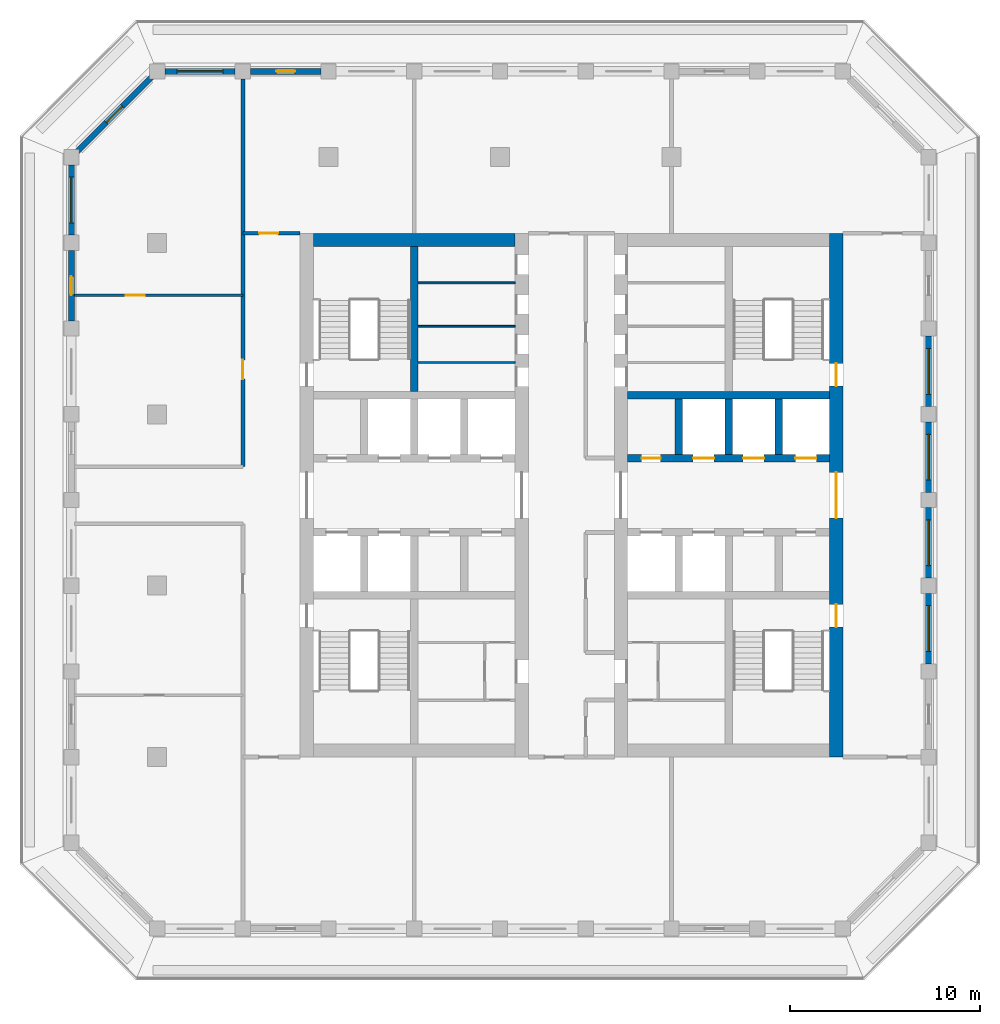
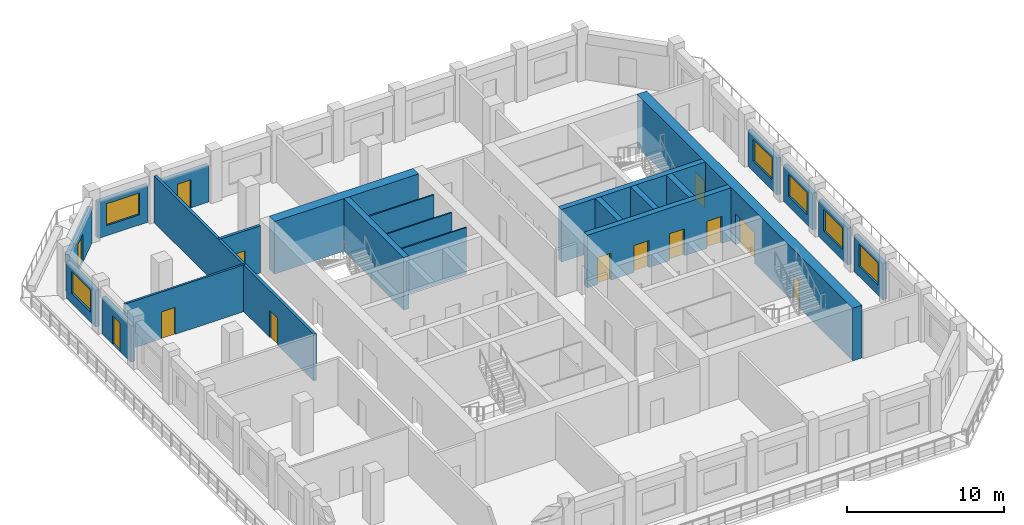
# One storey, part 5 of 14: 23 walls, 13 doors, 6 windows, 19 openings.
"""IFC4 building model written with IfcOpenShell, lengths in metres."""

from ifc_helpers import new_model, si_unit, direction, frame, frame_2d, origin, place, context, subcontext, project, spatial, rectangle, extrude, material, layer, layer_set, type_object, element, fill, save


model = new_model("IFC4")

# Units and contexts
model_context = context("Model", 3, precision=1e-05, world=origin(), true_north=direction((0.0, 1.0)))
body_context = subcontext(model_context, "Body", "Model", "MODEL_VIEW")
ifc_project = project(units=[si_unit("LENGTHUNIT", "METRE"), si_unit("AREAUNIT", "SQUARE_METRE"), si_unit("VOLUMEUNIT", "CUBIC_METRE"), si_unit("PLANEANGLEUNIT", "RADIAN"), si_unit("MASSUNIT", "GRAM", prefix="KILO")], contexts=[model_context])

# Site, building, storey
site_placement = place(None, origin())
site = spatial("IfcSite", under=ifc_project, at=site_placement, CompositionType="ELEMENT")
building_placement = place(site_placement, origin())
building = spatial("IfcBuilding", under=site, at=building_placement, Name="Corbel Stack Research Tower", CompositionType="ELEMENT")
storey_placement = place(building_placement, frame((0.0, 0.0, 270.39990234375)))
storey = spatial("IfcBuildingStorey", under=building, at=storey_placement, Name="L61", CompositionType="ELEMENT", Elevation=270.39990234375)

# Wall
ifc_material_1 = material(Name="Concrete C60/75", Category="concrete")
ifc_layer_1 = layer(ifc_material_1, 0.39990234375)
ifc_layer_set_1 = layer_set([ifc_layer_1], Name="Concrete C60/75")
wall_type_1 = type_object("IfcWallType", Name="CW-400-60", PredefinedType="SHEAR", material=ifc_layer_set_1)
wall_1_placement = place(storey_placement, frame((-4.5, 10.199951171875, 0.0), z_axis=(0.0, 0.0, 1.0), x_axis=(0.0, 1.0, 0.0)))
element("IfcWall", 1, at=wall_1_placement, inside=storey, type_object=wall_type_1, Name="West core wall, north stair and riser L61", PredefinedType="SHEAR", context=body_context, shape_type="SweptSolid", body=[
    extrude(rectangle(XDim=7.60009765625, YDim=0.39990234375, at=frame_2d((3.800048828125, 0.0))), origin(), (0.0, 0.0, 1.0), 4.10009765625),
])

# Wall, openings, doors
wall_2_placement = place(storey_placement, frame((6.699951171875, 6.699951171875, 0.0), z_axis=(0.0, 0.0, 1.0), x_axis=(1.0, 0.0, 0.0)))
wall_2 = element("IfcWall", 2, at=wall_2_placement, inside=storey, type_object=wall_type_1, Name="East core wall, lobby north L61", PredefinedType="SHEAR", context=body_context, shape_type="SweptSolid", body=[
    extrude(rectangle(XDim=10.60009765625, YDim=0.39990234375, at=frame_2d((5.300048828125, 0.0))), origin(), (0.0, 0.0, 1.0), 4.10009765625),
])
opening_1_placement = place(wall_2_placement, frame((3.4375, 0.0, 0.0)))
opening_1 = element("IfcOpeningElement", 3, at=opening_1_placement, cuts=wall_2, Name="Opening LD-HR4", PredefinedType="OPENING", context=body_context, shape_type="SweptSolid", body=[
    extrude(rectangle(XDim=1.10009765625, YDim=2.10009765625, at=frame_2d((0.550048828125, 1.050048828125))), frame((0.0, 0.2099609375, 0.0), z_axis=(0.0, -1.0, 0.0), x_axis=(1.0, 0.0, 0.0)), (0.0, 0.0, 1.0), 0.419921875),
])
opening_2_placement = place(wall_2_placement, frame((6.0625, 0.0, 0.0)))
opening_2 = element("IfcOpeningElement", 4, at=opening_2_placement, cuts=wall_2, Name="Opening LD-HR5", PredefinedType="OPENING", context=body_context, shape_type="SweptSolid", body=[
    extrude(rectangle(XDim=1.10009765625, YDim=2.10009765625, at=frame_2d((0.550048828125, 1.050048828125))), frame((0.0, 0.2099609375, 0.0), z_axis=(0.0, -1.0, 0.0), x_axis=(1.0, 0.0, 0.0)), (0.0, 0.0, 1.0), 0.419921875),
])
opening_3_placement = place(wall_2_placement, frame((8.8125, 0.0, 0.0)))
opening_3 = element("IfcOpeningElement", 5, at=opening_3_placement, cuts=wall_2, Name="Opening LD-HR6", PredefinedType="OPENING", context=body_context, shape_type="SweptSolid", body=[
    extrude(rectangle(XDim=1.10009765625, YDim=2.10009765625, at=frame_2d((0.550048828125, 1.050048828125))), frame((0.0, 0.2099609375, 0.0), z_axis=(0.0, -1.0, 0.0), x_axis=(1.0, 0.0, 0.0)), (0.0, 0.0, 1.0), 0.419921875),
])
opening_4_placement = place(wall_2_placement, frame((0.737548828125, 0.0, 0.0)))
opening_4 = element("IfcOpeningElement", 6, at=opening_4_placement, cuts=wall_2, Name="Opening CR-E36-N1", PredefinedType="OPENING", context=body_context, shape_type="SweptSolid", body=[
    extrude(rectangle(XDim=1.0, YDim=2.10009765625, at=frame_2d((0.5, 1.050048828125))), frame((0.0, 0.2099609375, 0.0), z_axis=(0.0, -1.0, 0.0), x_axis=(1.0, 0.0, 0.0)), (0.0, 0.0, 1.0), 0.419921875),
])
ifc_material_2 = material(Name="Stainless steel landing door", Category="steel")
door_type_1 = type_object("IfcDoorType", Name="Lift landing door 1100 x 2100", OperationType="DOUBLE_DOOR_SLIDING", PredefinedType="DOOR", material=ifc_material_2)
door_1_placement = place(opening_1_placement, origin())
door_1 = element("IfcDoor", 7, at=door_1_placement, inside=storey, type_object=door_type_1, Name="Landing door HR4", OperationType="DOUBLE_DOOR_SLIDING", OverallHeight=2.10009765625, OverallWidth=1.10009765625, PredefinedType="DOOR", context=body_context, shape_type="SweptSolid", body=[
    extrude(rectangle(XDim=1.10009765625, YDim=2.10009765625, at=frame_2d((0.550048828125, 1.050048828125))), frame((0.0, 0.02490234375, 0.0), z_axis=(0.0, -1.0, 0.0), x_axis=(1.0, 0.0, 0.0)), (0.0, 0.0, 1.0), 0.050048828125),
])
fill(opening_1, door_1)
door_2_placement = place(opening_2_placement, origin())
door_2 = element("IfcDoor", 8, at=door_2_placement, inside=storey, type_object=door_type_1, Name="Landing door HR5", OperationType="DOUBLE_DOOR_SLIDING", OverallHeight=2.10009765625, OverallWidth=1.10009765625, PredefinedType="DOOR", context=body_context, shape_type="SweptSolid", body=[
    extrude(rectangle(XDim=1.10009765625, YDim=2.10009765625, at=frame_2d((0.550048828125, 1.050048828125))), frame((0.0, 0.02490234375, 0.0), z_axis=(0.0, -1.0, 0.0), x_axis=(1.0, 0.0, 0.0)), (0.0, 0.0, 1.0), 0.050048828125),
])
fill(opening_2, door_2)
door_3_placement = place(opening_3_placement, origin())
door_3 = element("IfcDoor", 9, at=door_3_placement, inside=storey, type_object=door_type_1, Name="Landing door HR6", OperationType="DOUBLE_DOOR_SLIDING", OverallHeight=2.10009765625, OverallWidth=1.10009765625, PredefinedType="DOOR", context=body_context, shape_type="SweptSolid", body=[
    extrude(rectangle(XDim=1.10009765625, YDim=2.10009765625, at=frame_2d((0.550048828125, 1.050048828125))), frame((0.0, 0.02490234375, 0.0), z_axis=(0.0, -1.0, 0.0), x_axis=(1.0, 0.0, 0.0)), (0.0, 0.0, 1.0), 0.050048828125),
])
fill(opening_3, door_3)
ifc_material_3 = material(Name="Painted steel door", Category="steel")
door_type_2 = type_object("IfcDoorType", Name="Service door 1000 x 2100 FD60 left hand", OperationType="SINGLE_SWING_LEFT", PredefinedType="DOOR", material=ifc_material_3)
door_4_placement = place(opening_4_placement, origin())
door_4 = element("IfcDoor", 10, at=door_4_placement, inside=storey, type_object=door_type_2, Name="Pantry door E core", OperationType="SINGLE_SWING_LEFT", OverallHeight=2.10009765625, OverallWidth=1.0, PredefinedType="DOOR", context=body_context, shape_type="SweptSolid", body=[
    extrude(rectangle(XDim=1.0, YDim=2.10009765625, at=frame_2d((0.5, 1.050048828125))), frame((0.0, 0.02490234375, 0.0), z_axis=(0.0, -1.0, 0.0), x_axis=(1.0, 0.0, 0.0)), (0.0, 0.0, 1.0), 0.050048828125),
])
fill(opening_4, door_4)

# Walls
wall_3_placement = place(storey_placement, frame((6.699951171875, 10.0, 0.0), z_axis=(0.0, 0.0, 1.0), x_axis=(1.0, 0.0, 0.0)))
element("IfcWall", 11, at=wall_3_placement, inside=storey, type_object=wall_type_1, Name="East core wall, north row back L61", PredefinedType="SHEAR", context=body_context, shape_type="SweptSolid", body=[
    extrude(rectangle(XDim=10.60009765625, YDim=0.39990234375, at=frame_2d((5.300048828125, 0.0))), origin(), (0.0, 0.0, 1.0), 4.10009765625),
])
for number, where, z_axis, x_axis, name in (
    (12, (9.375, 6.89990234375, 0.0), (0.0, 0.0, 1.0), (0.0, 1.0, 0.0), "East core wall, north shaft 1 L61"),
    (13, (12.0, 6.89990234375, 0.0), (0.0, 0.0, 1.0), (0.0, 1.0, 0.0), "East core wall, north shaft 2 L61"),
    (14, (14.625, 6.89990234375, 0.0), (0.0, 0.0, 1.0), (0.0, 1.0, 0.0), "East core wall, north shaft 3 L61"),
):
    element("IfcWall", number, at=place(storey_placement, frame(where, z_axis=z_axis, x_axis=x_axis)), inside=storey, type_object=wall_type_1, Name=name, PredefinedType="SHEAR", context=body_context, shape_type="SweptSolid", body=[
        extrude(rectangle(XDim=2.900146484375, YDim=0.39990234375, at=frame_2d((1.4501953125, 0.0))), origin(), (0.0, 0.0, 1.0), 4.10009765625),
    ])
ifc_material_4 = material(Name="Concrete C60/75", Category="concrete")
ifc_layer_2 = layer(ifc_material_4, 0.699951171875)
ifc_layer_set_2 = layer_set([ifc_layer_2], Name="Concrete C60/75")
wall_type_2 = type_object("IfcWallType", Name="CW-700-60", PredefinedType="SHEAR", material=ifc_layer_set_2)
wall_4_placement = place(storey_placement, frame((-9.800048828125, 18.14990234375, 0.0), z_axis=(0.0, 0.0, 1.0), x_axis=(1.0, 0.0, 0.0)))
element("IfcWall", 15, at=wall_4_placement, inside=storey, type_object=wall_type_2, Name="West core wall, north end L61", PredefinedType="SHEAR", context=body_context, shape_type="SweptSolid", body=[
    extrude(rectangle(XDim=10.60009765625, YDim=0.699951171875, at=frame_2d((5.300048828125, 0.0))), origin(), (0.0, 0.0, 1.0), 4.10009765625),
])

# Wall, openings, doors
wall_5_placement = place(storey_placement, frame((17.64990234375, -9.0, 0.0), z_axis=(0.0, 0.0, 1.0), x_axis=(0.0, 1.0, 0.0)))
wall_5 = element("IfcWall", 16, at=wall_5_placement, inside=storey, type_object=wall_type_2, Name="East core wall, east face L61", PredefinedType="SHEAR", context=body_context, shape_type="SweptSolid", body=[
    extrude(rectangle(XDim=27.5, YDim=0.699951171875, at=frame_2d((13.75, 0.0))), origin(), (0.0, 0.0, 1.0), 4.10009765625),
])
opening_5_placement = place(wall_5_placement, frame((12.550048828125, 0.0, 0.0)))
opening_5 = element("IfcOpeningElement", 17, at=opening_5_placement, cuts=wall_5, Name="Opening CD-E-E", PredefinedType="OPENING", context=body_context, shape_type="SweptSolid", body=[
    extrude(rectangle(XDim=2.39990234375, YDim=2.39990234375, at=frame_2d((1.199951171875, 1.199951171875))), frame((0.0, 0.35986328125, 0.0), z_axis=(0.0, -1.0, 0.0), x_axis=(1.0, 0.0, 0.0)), (0.0, 0.0, 1.0), 0.719970703125),
])
opening_6_placement = place(wall_5_placement, frame((6.824951171875, 0.0, 0.0)))
opening_6 = element("IfcOpeningElement", 18, at=opening_6_placement, cuts=wall_5, Name="Opening SD-ST-E1", PredefinedType="OPENING", context=body_context, shape_type="SweptSolid", body=[
    extrude(rectangle(XDim=1.199951171875, YDim=2.10009765625, at=frame_2d((0.60009765625, 1.050048828125))), frame((0.0, 0.35986328125, 0.0), z_axis=(0.0, -1.0, 0.0), x_axis=(1.0, 0.0, 0.0)), (0.0, 0.0, 1.0), 0.719970703125),
])
opening_7_placement = place(wall_5_placement, frame((19.47509765625, 0.0, 0.0)))
opening_7 = element("IfcOpeningElement", 19, at=opening_7_placement, cuts=wall_5, Name="Opening SD-ST-E2", PredefinedType="OPENING", context=body_context, shape_type="SweptSolid", body=[
    extrude(rectangle(XDim=1.199951171875, YDim=2.10009765625, at=frame_2d((0.60009765625, 1.050048828125))), frame((0.0, 0.35986328125, 0.0), z_axis=(0.0, -1.0, 0.0), x_axis=(1.0, 0.0, 0.0)), (0.0, 0.0, 1.0), 0.719970703125),
])
ifc_material_5 = material(Name="Painted steel fire door", Category="steel")
door_type_3 = type_object("IfcDoorType", Name="Lobby door pair 2400 x 2400 FD30S", OperationType="DOUBLE_DOOR_DOUBLE_SWING", PredefinedType="DOOR", material=ifc_material_5)
door_5_placement = place(opening_5_placement, origin())
door_5 = element("IfcDoor", 20, at=door_5_placement, inside=storey, type_object=door_type_3, Name="Lift lobby door E core E", OperationType="DOUBLE_DOOR_DOUBLE_SWING", OverallHeight=2.39990234375, OverallWidth=2.39990234375, PredefinedType="DOOR", context=body_context, shape_type="SweptSolid", body=[
    extrude(rectangle(XDim=2.39990234375, YDim=2.39990234375, at=frame_2d((1.199951171875, 1.199951171875))), frame((0.0, 0.02490234375, 0.0), z_axis=(0.0, -1.0, 0.0), x_axis=(1.0, 0.0, 0.0)), (0.0, 0.0, 1.0), 0.050048828125),
])
fill(opening_5, door_5)
ifc_material_6 = material(Name="Painted steel fire door", Category="steel")
door_type_4 = type_object("IfcDoorType", Name="Stair door 1200 x 2100 FD90 right hand", OperationType="SINGLE_SWING_RIGHT", PredefinedType="DOOR", material=ifc_material_6)
door_6_placement = place(opening_6_placement, frame((1.199951171875, 0.0, 0.0), z_axis=(0.0, 0.0, 1.0), x_axis=(-1.0, 0.0, 0.0)))
door_6 = element("IfcDoor", 21, at=door_6_placement, inside=storey, type_object=door_type_4, Name="Stair door ST-E1", OperationType="SINGLE_SWING_LEFT", OverallHeight=2.10009765625, OverallWidth=1.199951171875, PredefinedType="DOOR", context=body_context, shape_type="SweptSolid", body=[
    extrude(rectangle(XDim=1.199951171875, YDim=2.10009765625, at=frame_2d((0.60009765625, 1.050048828125))), frame((0.0, 0.02490234375, 0.0), z_axis=(0.0, -1.0, 0.0), x_axis=(1.0, 0.0, 0.0)), (0.0, 0.0, 1.0), 0.050048828125),
])
fill(opening_6, door_6)
door_7_placement = place(opening_7_placement, frame((1.199951171875, 0.0, 0.0), z_axis=(0.0, 0.0, 1.0), x_axis=(-1.0, 0.0, 0.0)))
door_7 = element("IfcDoor", 22, at=door_7_placement, inside=storey, type_object=door_type_4, Name="Stair door ST-E2", OperationType="SINGLE_SWING_LEFT", OverallHeight=2.10009765625, OverallWidth=1.199951171875, PredefinedType="DOOR", context=body_context, shape_type="SweptSolid", body=[
    extrude(rectangle(XDim=1.199951171875, YDim=2.10009765625, at=frame_2d((0.60009765625, 1.050048828125))), frame((0.0, 0.02490234375, 0.0), z_axis=(0.0, -1.0, 0.0), x_axis=(1.0, 0.0, 0.0)), (0.0, 0.0, 1.0), 0.050048828125),
])
fill(opening_7, door_7)

# Walls
ifc_material_7 = material(Name="Gypsum board")
ifc_layer_3 = layer(ifc_material_7, 0.10009765625)
ifc_layer_set_3 = layer_set([ifc_layer_3], Name="Gypsum board")
wall_type_3 = type_object("IfcWallType", Name="Core partition 100", PredefinedType="PARTITIONING", material=ifc_layer_set_3)
for number, where, z_axis, x_axis, name in (
    (23, (-4.300048828125, 11.719970703125, 0.0), (0.0, 0.0, 1.0), (1.0, 0.0, 0.0), "Core partition W"),
    (24, (-4.300048828125, 13.6201171875, 0.0), (0.0, 0.0, 1.0), (1.0, 0.0, 0.0), "Core partition W"),
    (25, (-4.300048828125, 15.89990234375, 0.0), (0.0, 0.0, 1.0), (1.0, 0.0, 0.0), "Core partition W"),
):
    element("IfcWall", number, at=place(storey_placement, frame(where, z_axis=z_axis, x_axis=x_axis)), inside=storey, type_object=wall_type_3, Name=name, PredefinedType="PARTITIONING", context=body_context, shape_type="SweptSolid", body=[
        extrude(rectangle(XDim=5.10009765625, YDim=0.10009765625, at=frame_2d((2.550048828125, 0.0))), origin(), (0.0, 0.0, 1.0), 3.650146484375),
    ])

# Wall, opening, door
ifc_material_8 = material(Name="Fire-rated gypsum board partition on steel studs", Category="steel")
ifc_layer_4 = layer(ifc_material_8, 0.199951171875)
ifc_layer_set_4 = layer_set([ifc_layer_4], Name="Fire-rated gypsum board partition on steel studs")
wall_type_4 = type_object("IfcWallType", Name="Fire-rated partition 200 EI 60", PredefinedType="PARTITIONING", material=ifc_layer_set_4)
wall_6_placement = place(storey_placement, frame((-13.5, 6.25, 0.0), z_axis=(0.0, 0.0, 1.0), x_axis=(0.0, 1.0, 0.0)))
wall_6 = element("IfcWall", 26, at=wall_6_placement, inside=storey, type_object=wall_type_4, Name="Partition L61-002", PredefinedType="PARTITIONING", context=body_context, shape_type="SweptSolid", body=[
    extrude(rectangle(XDim=20.35009765625, YDim=0.199951171875, at=frame_2d((10.175048828125, 0.0))), origin(), (0.0, 0.0, 1.0), 3.650146484375),
])
opening_8_placement = place(wall_6_placement, frame((4.60009765625, 0.0, 0.0)))
opening_8 = element("IfcOpeningElement", 27, at=opening_8_placement, cuts=wall_6, Name="Opening B8V1-002", PredefinedType="OPENING", context=body_context, shape_type="SweptSolid", body=[
    extrude(rectangle(XDim=1.0, YDim=2.10009765625, at=frame_2d((0.5, 1.050048828125))), frame((0.0, 0.10986328125, 0.0), z_axis=(0.0, -1.0, 0.0), x_axis=(1.0, 0.0, 0.0)), (0.0, 0.0, 1.0), 0.219970703125),
])
ifc_material_9 = material(Name="Painted steel fire door", Category="steel")
door_type_5 = type_object("IfcDoorType", Name="Fire door FD30S 1000 x 2100", OperationType="NOTDEFINED", PredefinedType="DOOR", material=ifc_material_9)
door_8_placement = place(opening_8_placement, origin())
door_8 = element("IfcDoor", 28, at=door_8_placement, inside=storey, type_object=door_type_5, Name="Door B8V1-002", OperationType="SINGLE_SWING_LEFT", OverallHeight=2.10009765625, OverallWidth=1.0, PredefinedType="DOOR", context=body_context, shape_type="SweptSolid", body=[
    extrude(rectangle(XDim=1.0, YDim=2.10009765625, at=frame_2d((0.5, 1.050048828125))), frame((0.0, 0.02490234375, 0.0), z_axis=(0.0, -1.0, 0.0), x_axis=(1.0, 0.0, 0.0)), (0.0, 0.0, 1.0), 0.050048828125),
])
fill(opening_8, door_8)

wall_7_placement = place(storey_placement, frame((-13.5, 18.5, 0.0), z_axis=(0.0, 0.0, 1.0), x_axis=(1.0, 0.0, 0.0)))
wall_7 = element("IfcWall", 29, at=wall_7_placement, inside=storey, type_object=wall_type_4, Name="Partition L61-022", PredefinedType="PARTITIONING", context=body_context, shape_type="SweptSolid", body=[
    extrude(rectangle(XDim=3.0, YDim=0.199951171875, at=frame_2d((1.5, 0.0))), origin(), (0.0, 0.0, 1.0), 3.650146484375),
])
opening_9_placement = place(wall_7_placement, frame((0.85009765625, 0.0, 0.0)))
opening_9 = element("IfcOpeningElement", 30, at=opening_9_placement, cuts=wall_7, Name="Opening B8V1-011", PredefinedType="OPENING", context=body_context, shape_type="SweptSolid", body=[
    extrude(rectangle(XDim=1.0, YDim=2.10009765625, at=frame_2d((0.5, 1.050048828125))), frame((0.0, 0.10986328125, 0.0), z_axis=(0.0, -1.0, 0.0), x_axis=(1.0, 0.0, 0.0)), (0.0, 0.0, 1.0), 0.219970703125),
])
door_9_placement = place(opening_9_placement, origin())
door_9 = element("IfcDoor", 31, at=door_9_placement, inside=storey, type_object=door_type_5, Name="Door B8V1-011", OperationType="SINGLE_SWING_LEFT", OverallHeight=2.10009765625, OverallWidth=1.0, PredefinedType="DOOR", context=body_context, shape_type="SweptSolid", body=[
    extrude(rectangle(XDim=1.0, YDim=2.10009765625, at=frame_2d((0.5, 1.050048828125))), frame((0.0, 0.02490234375, 0.0), z_axis=(0.0, -1.0, 0.0), x_axis=(1.0, 0.0, 0.0)), (0.0, 0.0, 1.0), 0.050048828125),
])
fill(opening_9, door_9)

ifc_material_10 = material(Name="Gypsum board partition on steel studs", Category="steel")
ifc_layer_5 = layer(ifc_material_10, 0.14990234375)
ifc_layer_set_5 = layer_set([ifc_layer_5], Name="Gypsum board partition on steel studs")
wall_type_5 = type_object("IfcWallType", Name="Partition 150", PredefinedType="PARTITIONING", material=ifc_layer_set_5)
wall_8_placement = place(storey_placement, frame((-22.35009765625, 15.25, 0.0), z_axis=(0.0, 0.0, 1.0), x_axis=(1.0, 0.0, 0.0)))
wall_8 = element("IfcWall", 32, at=wall_8_placement, inside=storey, type_object=wall_type_5, Name="Partition L61-021", PredefinedType="PARTITIONING", context=body_context, shape_type="SweptSolid", body=[
    extrude(rectangle(XDim=8.85009765625, YDim=0.14990234375, at=frame_2d((4.425048828125, 0.0))), origin(), (0.0, 0.0, 1.0), 3.650146484375),
])
opening_10_placement = place(wall_8_placement, frame((2.699951171875, 0.0, 0.0)))
opening_10 = element("IfcOpeningElement", 33, at=opening_10_placement, cuts=wall_8, Name="Opening B8V1-010", PredefinedType="OPENING", context=body_context, shape_type="SweptSolid", body=[
    extrude(rectangle(XDim=1.0, YDim=2.10009765625, at=frame_2d((0.5, 1.050048828125))), frame((0.0, 0.0849609375, 0.0), z_axis=(0.0, -1.0, 0.0), x_axis=(1.0, 0.0, 0.0)), (0.0, 0.0, 1.0), 0.169921875),
])
ifc_material_11 = material(Name="Painted timber door", Category="wood")
door_type_6 = type_object("IfcDoorType", Name="Single door 1000 x 2100", OperationType="NOTDEFINED", PredefinedType="DOOR", material=ifc_material_11)
door_10_placement = place(opening_10_placement, origin())
door_10 = element("IfcDoor", 34, at=door_10_placement, inside=storey, type_object=door_type_6, Name="Door B8V1-010", OperationType="SINGLE_SWING_LEFT", OverallHeight=2.10009765625, OverallWidth=1.0, PredefinedType="DOOR", context=body_context, shape_type="SweptSolid", body=[
    extrude(rectangle(XDim=1.0, YDim=2.10009765625, at=frame_2d((0.5, 1.050048828125))), frame((0.0, 0.02490234375, 0.0), z_axis=(0.0, -1.0, 0.0), x_axis=(1.0, 0.0, 0.0)), (0.0, 0.0, 1.0), 0.050048828125),
])
fill(opening_10, door_10)

# Wall, opening, window
ifc_material_12 = material(Name="Concrete C45/55", Category="concrete")
ifc_layer_6 = layer(ifc_material_12, 0.300048828125)
ifc_layer_set_6 = layer_set([ifc_layer_6], Name="Concrete C45/55")
wall_type_6 = type_object("IfcWallType", Name="Terracotta-faced concrete wall 300", PredefinedType="SOLIDWALL", material=ifc_layer_set_6)
wall_9_placement = place(storey_placement, frame((22.5, -0.39990234375, 0.0), z_axis=(0.0, 0.0, 1.0), x_axis=(0.0, -1.0, 0.0)))
wall_9 = element("IfcWall", 35, at=wall_9_placement, inside=storey, type_object=wall_type_6, Name="Facade wall L61 E03", PredefinedType="SOLIDWALL", context=body_context, shape_type="SweptSolid", body=[
    extrude(rectangle(XDim=3.7001953125, YDim=0.300048828125, at=frame_2d((1.85009765625, 0.0))), origin(), (0.0, 0.0, 1.0), 2.85009765625),
])
opening_11_placement = place(wall_9_placement, frame((0.64990234375, 0.0, 0.800048828125)))
opening_11 = element("IfcOpeningElement", 36, at=opening_11_placement, cuts=wall_9, Name="Opening W1", PredefinedType="OPENING", context=body_context, shape_type="SweptSolid", body=[
    extrude(rectangle(XDim=2.39990234375, YDim=1.699951171875, at=frame_2d((1.199951171875, 0.85009765625))), frame((0.0, 0.159912109375, 0.0), z_axis=(0.0, -1.0, 0.0), x_axis=(1.0, 0.0, 0.0)), (0.0, 0.0, 1.0), 0.320068359375),
])
ifc_material_13 = material(Name="Aluminium frame, clear double glazing", Category="aluminium")
window_type = type_object("IfcWindowType", Name="Window W1 2400 x 1700", PartitioningType="SINGLE_PANEL", PredefinedType="WINDOW", material=ifc_material_13)
window_1_placement = place(opening_11_placement, origin())
window_1 = element("IfcWindow", 37, at=window_1_placement, inside=storey, type_object=window_type, Name="Window W1 L61 E03", OverallHeight=1.699951171875, OverallWidth=2.39990234375, PartitioningType="SINGLE_PANEL", PredefinedType="WINDOW", context=body_context, shape_type="SweptSolid", body=[
    extrude(rectangle(XDim=2.39990234375, YDim=1.699951171875, at=frame_2d((1.199951171875, 0.85009765625))), frame((0.0, 0.030029296875, 0.0), z_axis=(0.0, -1.0, 0.0), x_axis=(1.0, 0.0, 0.0)), (0.0, 0.0, 1.0), 0.06005859375),
])
fill(opening_11, window_1)

wall_10_placement = place(storey_placement, frame((22.5, 4.10009765625, 0.0), z_axis=(0.0, 0.0, 1.0), x_axis=(0.0, -1.0, 0.0)))
wall_10 = element("IfcWall", 38, at=wall_10_placement, inside=storey, type_object=wall_type_6, Name="Facade wall L61 E04", PredefinedType="SOLIDWALL", context=body_context, shape_type="SweptSolid", body=[
    extrude(rectangle(XDim=3.7001953125, YDim=0.300048828125, at=frame_2d((1.85009765625, 0.0))), origin(), (0.0, 0.0, 1.0), 2.85009765625),
])
opening_12_placement = place(wall_10_placement, frame((0.64990234375, 0.0, 0.800048828125)))
opening_12 = element("IfcOpeningElement", 39, at=opening_12_placement, cuts=wall_10, Name="Opening W1", PredefinedType="OPENING", context=body_context, shape_type="SweptSolid", body=[
    extrude(rectangle(XDim=2.39990234375, YDim=1.699951171875, at=frame_2d((1.199951171875, 0.85009765625))), frame((0.0, 0.159912109375, 0.0), z_axis=(0.0, -1.0, 0.0), x_axis=(1.0, 0.0, 0.0)), (0.0, 0.0, 1.0), 0.320068359375),
])
window_2_placement = place(opening_12_placement, origin())
window_2 = element("IfcWindow", 40, at=window_2_placement, inside=storey, type_object=window_type, Name="Window W1 L61 E04", OverallHeight=1.699951171875, OverallWidth=2.39990234375, PartitioningType="SINGLE_PANEL", PredefinedType="WINDOW", context=body_context, shape_type="SweptSolid", body=[
    extrude(rectangle(XDim=2.39990234375, YDim=1.699951171875, at=frame_2d((1.199951171875, 0.85009765625))), frame((0.0, 0.030029296875, 0.0), z_axis=(0.0, -1.0, 0.0), x_axis=(1.0, 0.0, 0.0)), (0.0, 0.0, 1.0), 0.06005859375),
])
fill(opening_12, window_2)

wall_11_placement = place(storey_placement, frame((22.5, 8.60009765625, 0.0), z_axis=(0.0, 0.0, 1.0), x_axis=(0.0, -1.0, 0.0)))
wall_11 = element("IfcWall", 41, at=wall_11_placement, inside=storey, type_object=wall_type_6, Name="Facade wall L61 E05", PredefinedType="SOLIDWALL", context=body_context, shape_type="SweptSolid", body=[
    extrude(rectangle(XDim=3.7001953125, YDim=0.300048828125, at=frame_2d((1.85009765625, 0.0))), origin(), (0.0, 0.0, 1.0), 2.85009765625),
])
opening_13_placement = place(wall_11_placement, frame((0.64990234375, 0.0, 0.800048828125)))
opening_13 = element("IfcOpeningElement", 42, at=opening_13_placement, cuts=wall_11, Name="Opening W1", PredefinedType="OPENING", context=body_context, shape_type="SweptSolid", body=[
    extrude(rectangle(XDim=2.39990234375, YDim=1.699951171875, at=frame_2d((1.199951171875, 0.85009765625))), frame((0.0, 0.159912109375, 0.0), z_axis=(0.0, -1.0, 0.0), x_axis=(1.0, 0.0, 0.0)), (0.0, 0.0, 1.0), 0.320068359375),
])
window_3_placement = place(opening_13_placement, origin())
window_3 = element("IfcWindow", 43, at=window_3_placement, inside=storey, type_object=window_type, Name="Window W1 L61 E05", OverallHeight=1.699951171875, OverallWidth=2.39990234375, PartitioningType="SINGLE_PANEL", PredefinedType="WINDOW", context=body_context, shape_type="SweptSolid", body=[
    extrude(rectangle(XDim=2.39990234375, YDim=1.699951171875, at=frame_2d((1.199951171875, 0.85009765625))), frame((0.0, 0.030029296875, 0.0), z_axis=(0.0, -1.0, 0.0), x_axis=(1.0, 0.0, 0.0)), (0.0, 0.0, 1.0), 0.06005859375),
])
fill(opening_13, window_3)

wall_12_placement = place(storey_placement, frame((22.5, 13.10009765625, 0.0), z_axis=(0.0, 0.0, 1.0), x_axis=(0.0, -1.0, 0.0)))
wall_12 = element("IfcWall", 44, at=wall_12_placement, inside=storey, type_object=wall_type_6, Name="Facade wall L61 E06", PredefinedType="SOLIDWALL", context=body_context, shape_type="SweptSolid", body=[
    extrude(rectangle(XDim=3.7001953125, YDim=0.300048828125, at=frame_2d((1.85009765625, 0.0))), origin(), (0.0, 0.0, 1.0), 2.85009765625),
])
opening_14_placement = place(wall_12_placement, frame((0.64990234375, 0.0, 0.800048828125)))
opening_14 = element("IfcOpeningElement", 45, at=opening_14_placement, cuts=wall_12, Name="Opening W1", PredefinedType="OPENING", context=body_context, shape_type="SweptSolid", body=[
    extrude(rectangle(XDim=2.39990234375, YDim=1.699951171875, at=frame_2d((1.199951171875, 0.85009765625))), frame((0.0, 0.159912109375, 0.0), z_axis=(0.0, -1.0, 0.0), x_axis=(1.0, 0.0, 0.0)), (0.0, 0.0, 1.0), 0.320068359375),
])
window_4_placement = place(opening_14_placement, origin())
window_4 = element("IfcWindow", 46, at=window_4_placement, inside=storey, type_object=window_type, Name="Window W1 L61 E06", OverallHeight=1.699951171875, OverallWidth=2.39990234375, PartitioningType="SINGLE_PANEL", PredefinedType="WINDOW", context=body_context, shape_type="SweptSolid", body=[
    extrude(rectangle(XDim=2.39990234375, YDim=1.699951171875, at=frame_2d((1.199951171875, 0.85009765625))), frame((0.0, 0.030029296875, 0.0), z_axis=(0.0, -1.0, 0.0), x_axis=(1.0, 0.0, 0.0)), (0.0, 0.0, 1.0), 0.06005859375),
])
fill(opening_14, window_4)

# Wall, opening, door
wall_13_placement = place(storey_placement, frame((-13.10009765625, 27.0, 0.0), z_axis=(0.0, 0.0, 1.0), x_axis=(1.0, 0.0, 0.0)))
wall_13 = element("IfcWall", 47, at=wall_13_placement, inside=storey, type_object=wall_type_6, Name="Facade wall L61 N07", PredefinedType="SOLIDWALL", context=body_context, shape_type="SweptSolid", body=[
    extrude(rectangle(XDim=3.7001953125, YDim=0.300048828125, at=frame_2d((1.85009765625, 0.0))), origin(), (0.0, 0.0, 1.0), 2.85009765625),
])
opening_15_placement = place(wall_13_placement, frame((1.35009765625, 0.0, 0.0)))
opening_15 = element("IfcOpeningElement", 48, at=opening_15_placement, cuts=wall_13, Name="Opening L61-B08", PredefinedType="OPENING", context=body_context, shape_type="SweptSolid", body=[
    extrude(rectangle(XDim=1.0, YDim=2.199951171875, at=frame_2d((0.5, 1.10009765625))), frame((0.0, 0.159912109375, 0.0), z_axis=(0.0, -1.0, 0.0), x_axis=(1.0, 0.0, 0.0)), (0.0, 0.0, 1.0), 0.320068359375),
])
ifc_material_14 = material(Name="Aluminium frame, clear double glazing", Category="aluminium")
door_type_7 = type_object("IfcDoorType", Name="Balcony door BD1 1000 x 2200", OperationType="NOTDEFINED", PredefinedType="DOOR", material=ifc_material_14)
door_11_placement = place(opening_15_placement, origin())
door_11 = element("IfcDoor", 49, at=door_11_placement, inside=storey, type_object=door_type_7, Name="Balcony door L61-B08", OperationType="SINGLE_SWING_RIGHT", OverallHeight=2.199951171875, OverallWidth=1.0, PredefinedType="DOOR", context=body_context, shape_type="SweptSolid", body=[
    extrude(rectangle(XDim=1.0, YDim=2.199951171875, at=frame_2d((0.5, 1.10009765625))), frame((0.0, 0.02490234375, 0.0), z_axis=(0.0, -1.0, 0.0), x_axis=(1.0, 0.0, 0.0)), (0.0, 0.0, 1.0), 0.050048828125),
])
fill(opening_15, door_11)

# Wall, opening, window
wall_14_placement = place(storey_placement, frame((-17.60009765625, 27.0, 0.0), z_axis=(0.0, 0.0, 1.0), x_axis=(1.0, 0.0, 0.0)))
wall_14 = element("IfcWall", 50, at=wall_14_placement, inside=storey, type_object=wall_type_6, Name="Facade wall L61 N08", PredefinedType="SOLIDWALL", context=body_context, shape_type="SweptSolid", body=[
    extrude(rectangle(XDim=3.7001953125, YDim=0.300048828125, at=frame_2d((1.85009765625, 0.0))), origin(), (0.0, 0.0, 1.0), 2.85009765625),
])
opening_16_placement = place(wall_14_placement, frame((0.64990234375, 0.0, 0.800048828125)))
opening_16 = element("IfcOpeningElement", 51, at=opening_16_placement, cuts=wall_14, Name="Opening W1", PredefinedType="OPENING", context=body_context, shape_type="SweptSolid", body=[
    extrude(rectangle(XDim=2.39990234375, YDim=1.699951171875, at=frame_2d((1.199951171875, 0.85009765625))), frame((0.0, 0.159912109375, 0.0), z_axis=(0.0, -1.0, 0.0), x_axis=(1.0, 0.0, 0.0)), (0.0, 0.0, 1.0), 0.320068359375),
])
window_5_placement = place(opening_16_placement, origin())
window_5 = element("IfcWindow", 52, at=window_5_placement, inside=storey, type_object=window_type, Name="Window W1 L61 N08", OverallHeight=1.699951171875, OverallWidth=2.39990234375, PartitioningType="SINGLE_PANEL", PredefinedType="WINDOW", context=body_context, shape_type="SweptSolid", body=[
    extrude(rectangle(XDim=2.39990234375, YDim=1.699951171875, at=frame_2d((1.199951171875, 0.85009765625))), frame((0.0, 0.030029296875, 0.0), z_axis=(0.0, -1.0, 0.0), x_axis=(1.0, 0.0, 0.0)), (0.0, 0.0, 1.0), 0.06005859375),
])
fill(opening_16, window_5)

# Wall, opening, door
wall_15_placement = place(storey_placement, frame((-22.2060546875, 22.7939453125, 0.0), z_axis=(0.0, 0.0, 1.0), x_axis=(0.707106781187, 0.707106781187, 0.0)))
wall_15 = element("IfcWall", 53, at=wall_15_placement, inside=storey, type_object=wall_type_6, Name="Facade wall L61 NW01", PredefinedType="SOLIDWALL", context=body_context, shape_type="SweptSolid", body=[
    extrude(rectangle(XDim=5.532470703125, YDim=0.300048828125, at=frame_2d((2.76611328125, 0.0))), origin(), (0.0, 0.0, 1.0), 2.85009765625),
])
opening_17_placement = place(wall_15_placement, frame((2.166259765625, 0.0, 0.0)))
opening_17 = element("IfcOpeningElement", 54, at=opening_17_placement, cuts=wall_15, Name="Opening L61-B09", PredefinedType="OPENING", context=body_context, shape_type="SweptSolid", body=[
    extrude(rectangle(XDim=1.199951171875, YDim=2.199951171875, at=frame_2d((0.60009765625, 1.10009765625))), frame((0.0, 0.159912109375, 0.0), z_axis=(0.0, -1.0, 0.0), x_axis=(1.0, 0.0, 0.0)), (0.0, 0.0, 1.0), 0.320068359375),
])
ifc_material_15 = material(Name="Aluminium frame, clear double glazing", Category="aluminium")
door_type_8 = type_object("IfcDoorType", Name="Balcony door BD2 1200 x 2200", OperationType="NOTDEFINED", PredefinedType="DOOR", material=ifc_material_15)
door_12_placement = place(opening_17_placement, origin())
door_12 = element("IfcDoor", 55, at=door_12_placement, inside=storey, type_object=door_type_8, Name="Balcony door L61-B09", OperationType="SINGLE_SWING_RIGHT", OverallHeight=2.199951171875, OverallWidth=1.199951171875, PredefinedType="DOOR", context=body_context, shape_type="SweptSolid", body=[
    extrude(rectangle(XDim=1.199951171875, YDim=2.199951171875, at=frame_2d((0.60009765625, 1.10009765625))), frame((0.0, 0.02490234375, 0.0), z_axis=(0.0, -1.0, 0.0), x_axis=(1.0, 0.0, 0.0)), (0.0, 0.0, 1.0), 0.050048828125),
])
fill(opening_17, door_12)

# Wall, opening, window
wall_16_placement = place(storey_placement, frame((-22.5, 18.39990234375, 0.0), z_axis=(0.0, 0.0, 1.0), x_axis=(0.0, 1.0, 0.0)))
wall_16 = element("IfcWall", 56, at=wall_16_placement, inside=storey, type_object=wall_type_6, Name="Facade wall L61 W01", PredefinedType="SOLIDWALL", context=body_context, shape_type="SweptSolid", body=[
    extrude(rectangle(XDim=3.7001953125, YDim=0.300048828125, at=frame_2d((1.85009765625, 0.0))), origin(), (0.0, 0.0, 1.0), 2.85009765625),
])
opening_18_placement = place(wall_16_placement, frame((0.64990234375, 0.0, 0.800048828125)))
opening_18 = element("IfcOpeningElement", 57, at=opening_18_placement, cuts=wall_16, Name="Opening W1", PredefinedType="OPENING", context=body_context, shape_type="SweptSolid", body=[
    extrude(rectangle(XDim=2.39990234375, YDim=1.699951171875, at=frame_2d((1.199951171875, 0.85009765625))), frame((0.0, 0.159912109375, 0.0), z_axis=(0.0, -1.0, 0.0), x_axis=(1.0, 0.0, 0.0)), (0.0, 0.0, 1.0), 0.320068359375),
])
window_6_placement = place(opening_18_placement, origin())
window_6 = element("IfcWindow", 58, at=window_6_placement, inside=storey, type_object=window_type, Name="Window W1 L61 W01", OverallHeight=1.699951171875, OverallWidth=2.39990234375, PartitioningType="SINGLE_PANEL", PredefinedType="WINDOW", context=body_context, shape_type="SweptSolid", body=[
    extrude(rectangle(XDim=2.39990234375, YDim=1.699951171875, at=frame_2d((1.199951171875, 0.85009765625))), frame((0.0, 0.030029296875, 0.0), z_axis=(0.0, -1.0, 0.0), x_axis=(1.0, 0.0, 0.0)), (0.0, 0.0, 1.0), 0.06005859375),
])
fill(opening_18, window_6)

# Wall, opening, door
wall_17_placement = place(storey_placement, frame((-22.5, 13.89990234375, 0.0), z_axis=(0.0, 0.0, 1.0), x_axis=(0.0, 1.0, 0.0)))
wall_17 = element("IfcWall", 59, at=wall_17_placement, inside=storey, type_object=wall_type_6, Name="Facade wall L61 W02", PredefinedType="SOLIDWALL", context=body_context, shape_type="SweptSolid", body=[
    extrude(rectangle(XDim=3.7001953125, YDim=0.300048828125, at=frame_2d((1.85009765625, 0.0))), origin(), (0.0, 0.0, 1.0), 2.85009765625),
])
opening_19_placement = place(wall_17_placement, frame((1.35009765625, 0.0, 0.0)))
opening_19 = element("IfcOpeningElement", 60, at=opening_19_placement, cuts=wall_17, Name="Opening L61-B10", PredefinedType="OPENING", context=body_context, shape_type="SweptSolid", body=[
    extrude(rectangle(XDim=1.0, YDim=2.199951171875, at=frame_2d((0.5, 1.10009765625))), frame((0.0, 0.159912109375, 0.0), z_axis=(0.0, -1.0, 0.0), x_axis=(1.0, 0.0, 0.0)), (0.0, 0.0, 1.0), 0.320068359375),
])
door_13_placement = place(opening_19_placement, origin())
door_13 = element("IfcDoor", 61, at=door_13_placement, inside=storey, type_object=door_type_7, Name="Balcony door L61-B10", OperationType="SINGLE_SWING_LEFT", OverallHeight=2.199951171875, OverallWidth=1.0, PredefinedType="DOOR", context=body_context, shape_type="SweptSolid", body=[
    extrude(rectangle(XDim=1.0, YDim=2.199951171875, at=frame_2d((0.5, 1.10009765625))), frame((0.0, 0.02490234375, 0.0), z_axis=(0.0, -1.0, 0.0), x_axis=(1.0, 0.0, 0.0)), (0.0, 0.0, 1.0), 0.050048828125),
])
fill(opening_19, door_13)

save(model, "model.ifc")
